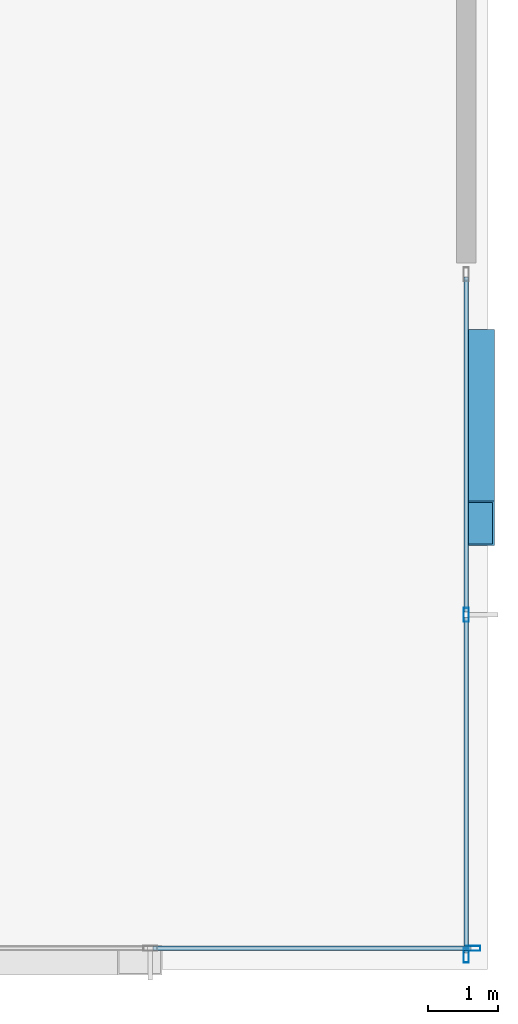
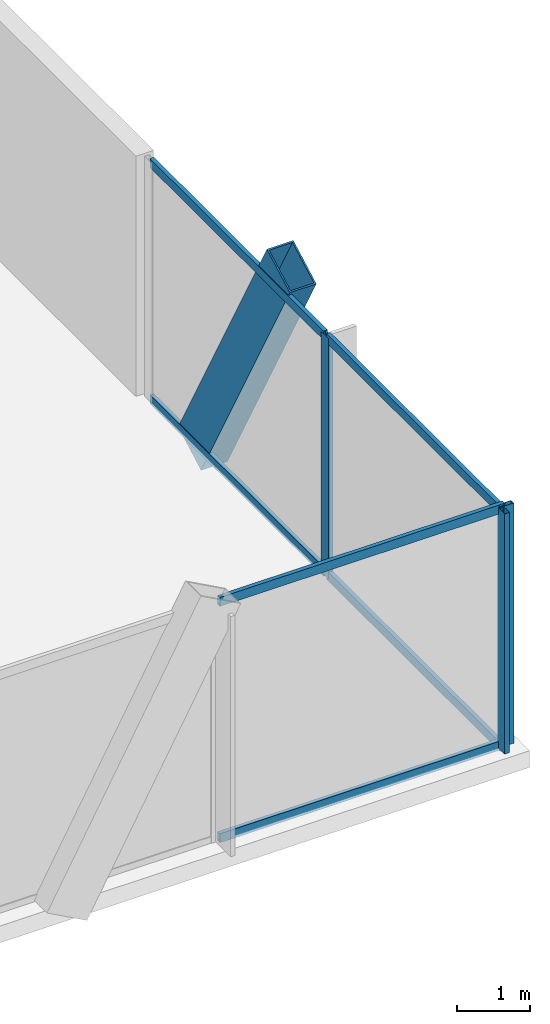
# One storey, part 17 of 42: 10 members, 2 elements without a shape of their own.
"""IFC4 building model written with IfcOpenShell, lengths in metres."""

from ifc_helpers import new_model, si_unit, direction, frame, origin, origin_2d, place, context, subcontext, project, spatial, hollow_rectangle, extrude, material, layer, layer_set, material_profile, profile_set, type_object, element, aggregate, save


model = new_model("IFC4")

# Units and contexts
model_context = context("Model", 3, precision=1e-05, world=origin(), true_north=direction((0.0, 1.0)))
body_context = subcontext(model_context, "Body", "Model", "MODEL_VIEW")
ifc_project = project(units=[si_unit("LENGTHUNIT", "METRE"), si_unit("AREAUNIT", "SQUARE_METRE"), si_unit("VOLUMEUNIT", "CUBIC_METRE"), si_unit("PLANEANGLEUNIT", "RADIAN"), si_unit("MASSUNIT", "GRAM", prefix="KILO")], contexts=[model_context])

# Site, building, storey
site_placement = place(None, origin())
site = spatial("IfcSite", under=ifc_project, at=site_placement, CompositionType="ELEMENT")
building_placement = place(site_placement, origin())
building = spatial("IfcBuilding", under=site, at=building_placement, Name="Orvanel Arch Residences", CompositionType="ELEMENT")
storey_placement = place(building_placement, frame((0.0, 0.0, 9.800048828125)))
storey = spatial("IfcBuildingStorey", under=building, at=storey_placement, Name="L02", CompositionType="ELEMENT", Elevation=9.800048828125)

# Member
ifc_material_1 = material(Name="Structural steel AS/NZS 3678 Grade 350", Category="steel")
ifc_material_profile_1 = material_profile(ifc_material_1, hollow_rectangle(XDim=0.419921875, YDim=0.719970703125, WallThickness=0.02490234375, at=origin_2d()), Name="RHS720x420x25")
ifc_profile_set_1 = profile_set([ifc_material_profile_1], Name="Structural steel AS/NZS 3678 Grade 350")
member_type_1 = type_object("IfcMemberType", Name="BR-720RHS-EXT", PredefinedType="BRACE", material=ifc_profile_set_1)
member_1_placement = place(storey_placement, frame((64.639892578125, 9.218994140625, -0.150146484375), z_axis=(0.0, -0.480018403674, 0.877258418104), x_axis=(1.0, 0.0, 0.0)))
element("IfcMember", 1, at=member_1_placement, inside=storey, type_object=member_type_1, Name="L02 Podium Multi-Storey V-Strut Pair E1 Leg 1", PredefinedType="BRACE", context=body_context, shape_type="SweptSolid", body=[
    extrude(hollow_rectangle(XDim=0.419921875, YDim=0.719970703125, WallThickness=0.02490234375, at=origin_2d()), origin(), (0.0, 0.0, 1.0), 5.07275390625),
])

# Curtain wall, member
ifc_material_2 = material(Name="Bronze-anodised aluminium AA6063-T6", Category="aluminium")
ifc_layer = layer(ifc_material_2, 0.199951171875)
ifc_layer_set = layer_set([ifc_layer], Name="Bronze-anodised aluminium AA6063-T6")
curtain_wall_type = type_object("IfcCurtainWallType", Name="CW1-POD-SYS", PredefinedType="NOTDEFINED", material=ifc_layer_set)
curtain_wall_1_placement = place(storey_placement, origin())
curtain_wall_1 = element("IfcCurtainWall", 2, at=curtain_wall_1_placement, inside=storey, type_object=curtain_wall_type, Name="L02 CW1-POD-SYS Unitised Curtain Wall", PredefinedType="NOTDEFINED")
ifc_material_profile_2 = material_profile(ifc_material_2, hollow_rectangle(XDim=0.074951171875, YDim=0.199951171875, WallThickness=0.0048828125, at=origin_2d()), Name="ALU200x75x5")
ifc_profile_set_2 = profile_set([ifc_material_profile_2], Name="Bronze-anodised aluminium AA6063-T6")
member_type_2 = type_object("IfcMemberType", Name="MUL-200x75", PredefinedType="MULLION", material=ifc_profile_set_2)
member_2_placement = place(storey_placement, frame((64.552490234375, 0.75, 0.0), z_axis=(0.0, 0.0, 1.0), x_axis=(0.0, 1.0, 0.0)))
member_2 = element("IfcMember", 3, at=member_2_placement, type_object=member_type_2, Name="CW-S1 mullion 3", PredefinedType="MULLION", context=body_context, shape_type="SweptSolid", body=[
    extrude(hollow_rectangle(XDim=0.074951171875, YDim=0.199951171875, WallThickness=0.0048828125, at=origin_2d()), origin(), (0.0, 0.0, 1.0), 4.02001953125),
])

# Curtain wall, members
curtain_wall_2_placement = place(storey_placement, origin())
curtain_wall_2 = element("IfcCurtainWall", 4, at=curtain_wall_2_placement, inside=storey, type_object=curtain_wall_type, Name="L02 CW1-POD-SYS Unitised Curtain Wall", PredefinedType="NOTDEFINED")
member_3_placement = place(storey_placement, frame((64.449951171875, 0.6474609375, 0.0), z_axis=(0.0, 0.0, 1.0), x_axis=(-1.0, 0.0, 0.0)))
member_3 = element("IfcMember", 5, at=member_3_placement, type_object=member_type_2, Name="CW-S1 mullion 1", PredefinedType="MULLION", context=body_context, shape_type="SweptSolid", body=[
    extrude(hollow_rectangle(XDim=0.074951171875, YDim=0.199951171875, WallThickness=0.0048828125, at=origin_2d()), origin(), (0.0, 0.0, 1.0), 4.02001953125),
])
member_4_placement = place(storey_placement, frame((64.449951171875, 5.485107421875, 0.0), z_axis=(0.0, 0.0, 1.0), x_axis=(-1.0, 0.0, 0.0)))
member_4 = element("IfcMember", 6, at=member_4_placement, type_object=member_type_2, Name="CW-S1 mullion 2", PredefinedType="MULLION", context=body_context, shape_type="SweptSolid", body=[
    extrude(hollow_rectangle(XDim=0.074951171875, YDim=0.199951171875, WallThickness=0.0048828125, at=origin_2d()), origin(), (0.0, 0.0, 1.0), 4.02001953125),
])

# Member
ifc_material_profile_3 = material_profile(ifc_material_2, hollow_rectangle(XDim=0.06494140625, YDim=0.14990234375, WallThickness=0.00390625, at=origin_2d()), Name="ALU150x65x4")
ifc_profile_set_3 = profile_set([ifc_material_profile_3], Name="Bronze-anodised aluminium AA6063-T6")
member_type_3 = type_object("IfcMemberType", Name="TRN-150x65", PredefinedType="USERDEFINED", material=ifc_profile_set_3)
member_5_placement = place(storey_placement, frame((60.00244140625, 0.75, 0.032470703125), z_axis=(1.0, 0.0, 0.0), x_axis=(0.0, 1.0, 0.0)))
member_5 = element("IfcMember", 7, at=member_5_placement, type_object=member_type_3, Name="CW-S1 transom 2.1", ObjectType="TRANSOM", PredefinedType="USERDEFINED", context=body_context, shape_type="SweptSolid", body=[
    extrude(hollow_rectangle(XDim=0.06494140625, YDim=0.14990234375, WallThickness=0.00390625, at=origin_2d()), origin(), (0.0, 0.0, 1.0), 4.512451171875),
])

member_6_placement = place(storey_placement, frame((60.00244140625, 0.75, 3.987548828125), z_axis=(1.0, 0.0, 0.0), x_axis=(0.0, 1.0, 0.0)))
member_6 = element("IfcMember", 8, at=member_6_placement, type_object=member_type_3, Name="CW-S1 transom 2.2", ObjectType="TRANSOM", PredefinedType="USERDEFINED", context=body_context, shape_type="SweptSolid", body=[
    extrude(hollow_rectangle(XDim=0.06494140625, YDim=0.14990234375, WallThickness=0.00390625, at=origin_2d()), origin(), (0.0, 0.0, 1.0), 4.512451171875),
])

aggregate(curtain_wall_1, [member_2, member_5, member_6])

member_7_placement = place(storey_placement, frame((64.449951171875, 0.68505859375, 0.032470703125), z_axis=(0.0, 1.0, 0.0), x_axis=(-1.0, 0.0, 0.0)))
member_7 = element("IfcMember", 9, at=member_7_placement, type_object=member_type_3, Name="CW-S1 transom 1.1", ObjectType="TRANSOM", PredefinedType="USERDEFINED", context=body_context, shape_type="SweptSolid", body=[
    extrude(hollow_rectangle(XDim=0.06494140625, YDim=0.14990234375, WallThickness=0.00390625, at=origin_2d()), origin(), (0.0, 0.0, 1.0), 4.762451171875),
])

member_8_placement = place(storey_placement, frame((64.449951171875, 0.68505859375, 3.987548828125), z_axis=(0.0, 1.0, 0.0), x_axis=(-1.0, 0.0, 0.0)))
member_8 = element("IfcMember", 10, at=member_8_placement, type_object=member_type_3, Name="CW-S1 transom 1.2", ObjectType="TRANSOM", PredefinedType="USERDEFINED", context=body_context, shape_type="SweptSolid", body=[
    extrude(hollow_rectangle(XDim=0.06494140625, YDim=0.14990234375, WallThickness=0.00390625, at=origin_2d()), origin(), (0.0, 0.0, 1.0), 4.762451171875),
])

member_9_placement = place(storey_placement, frame((64.449951171875, 5.5224609375, 0.032470703125), z_axis=(0.0, 1.0, 0.0), x_axis=(-1.0, 0.0, 0.0)))
member_9 = element("IfcMember", 11, at=member_9_placement, type_object=member_type_3, Name="CW-S1 transom 2.1", ObjectType="TRANSOM", PredefinedType="USERDEFINED", context=body_context, shape_type="SweptSolid", body=[
    extrude(hollow_rectangle(XDim=0.06494140625, YDim=0.14990234375, WallThickness=0.00390625, at=origin_2d()), origin(), (0.0, 0.0, 1.0), 4.762451171875),
])

member_10_placement = place(storey_placement, frame((64.449951171875, 5.5224609375, 3.987548828125), z_axis=(0.0, 1.0, 0.0), x_axis=(-1.0, 0.0, 0.0)))
member_10 = element("IfcMember", 12, at=member_10_placement, type_object=member_type_3, Name="CW-S1 transom 2.2", ObjectType="TRANSOM", PredefinedType="USERDEFINED", context=body_context, shape_type="SweptSolid", body=[
    extrude(hollow_rectangle(XDim=0.06494140625, YDim=0.14990234375, WallThickness=0.00390625, at=origin_2d()), origin(), (0.0, 0.0, 1.0), 4.762451171875),
])

aggregate(curtain_wall_2, [member_3, member_4, member_7, member_8, member_9, member_10])

save(model, "model.ifc")
